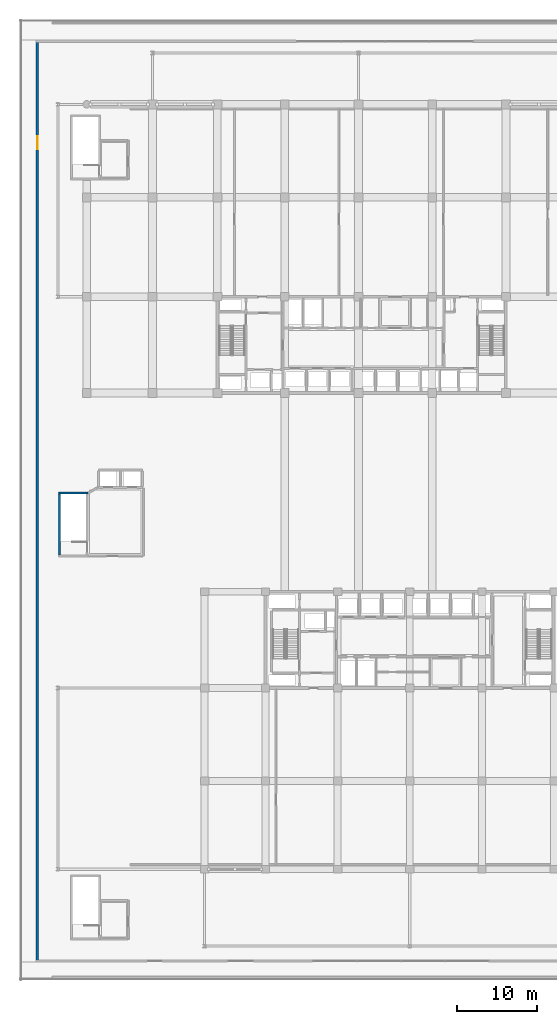
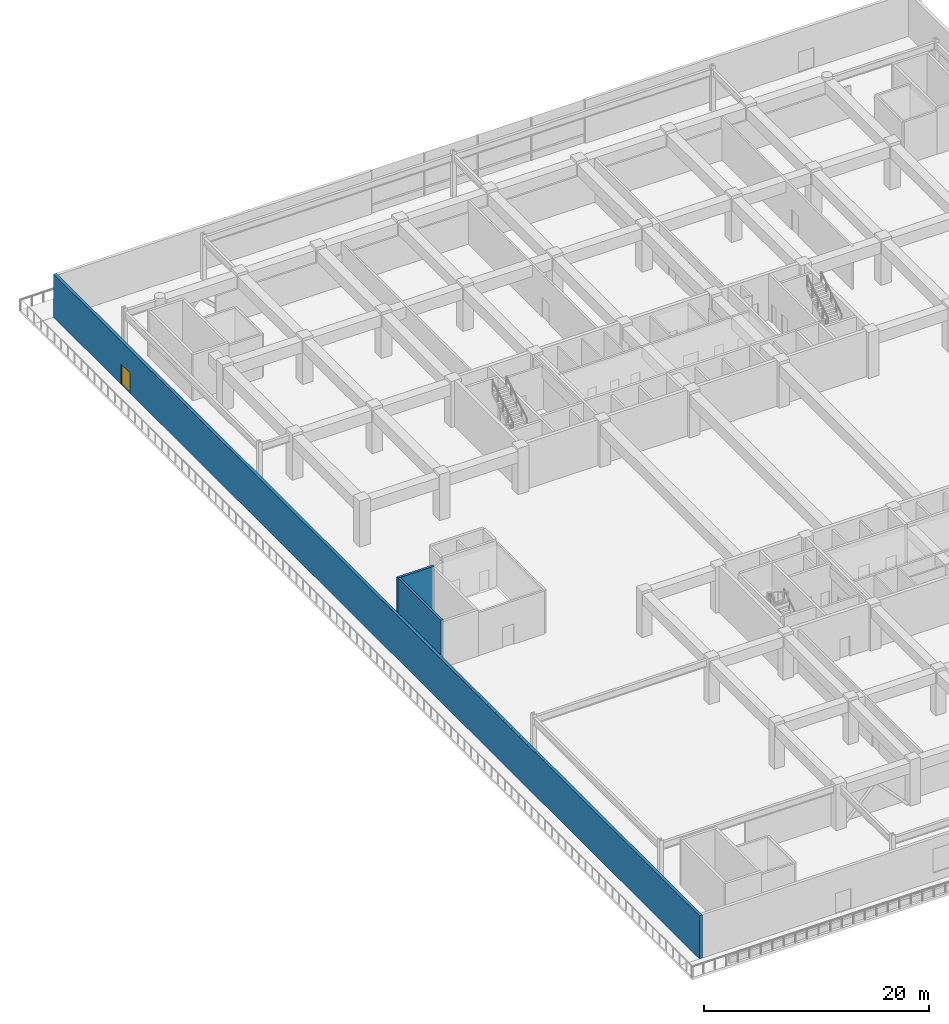
# One storey, part 23 of 38: 3 walls, 1 door, 1 opening.
"""IFC4 building model written with IfcOpenShell, lengths in metres."""

from ifc_helpers import new_model, si_unit, direction, frame, frame_2d, origin, place, context, subcontext, project, spatial, rectangle, extrude, material, layer, layer_set, type_object, element, fill, save


model = new_model("IFC4")

# Units and contexts
model_context = context("Model", 3, precision=1e-05, world=origin(), true_north=direction((0.0, 1.0)))
body_context = subcontext(model_context, "Body", "Model", "MODEL_VIEW")
ifc_project = project(units=[si_unit("LENGTHUNIT", "METRE"), si_unit("AREAUNIT", "SQUARE_METRE"), si_unit("VOLUMEUNIT", "CUBIC_METRE"), si_unit("PLANEANGLEUNIT", "RADIAN"), si_unit("MASSUNIT", "GRAM", prefix="KILO")], contexts=[model_context])

# Site, building, storey
site_placement = place(None, origin())
site = spatial("IfcSite", under=ifc_project, at=site_placement, CompositionType="ELEMENT")
building_placement = place(site_placement, origin())
building = spatial("IfcBuilding", under=site, at=building_placement, Name="Korimba Cascade Residences", CompositionType="ELEMENT")
storey_placement = place(building_placement, frame((0.0, 0.0, 19.0)))
storey = spatial("IfcBuildingStorey", under=building, at=storey_placement, Name="L04", CompositionType="ELEMENT", Elevation=19.0)

# Wall, opening, door
ifc_material_1 = material(Name="Precast concrete C40/50", Category="concrete")
ifc_layer_1 = layer(ifc_material_1, 0.300048828125)
ifc_layer_set_1 = layer_set([ifc_layer_1], Name="Precast concrete C40/50")
wall_type_1 = type_object("IfcWallType", Name="EW-STONE-300", PredefinedType="STANDARD", material=ifc_layer_set_1)
wall_1_placement = place(storey_placement, frame((53.64990234375, 99.199951171875, 0.0), z_axis=(0.0, 0.0, 1.0), x_axis=(0.0, -1.0, 0.0)))
wall_1 = element("IfcWall", 1, at=wall_1_placement, inside=storey, type_object=wall_type_1, Name="L04 West Podium Wall", PredefinedType="STANDARD", context=body_context, shape_type="SweptSolid", body=[
    extrude(rectangle(XDim=115.0, YDim=0.300048828125, at=frame_2d((57.5, 0.0))), origin(), (0.0, 0.0, 1.0), 4.679931640625),
])
opening_placement = place(wall_1_placement, frame((12.0, 0.0, 0.0)))
opening = element("IfcOpeningElement", 2, at=opening_placement, cuts=wall_1, Name="Opening D-TR1", PredefinedType="OPENING", context=body_context, shape_type="SweptSolid", body=[
    extrude(rectangle(XDim=1.60009765625, YDim=2.199951171875, at=frame_2d((0.800048828125, 1.10009765625))), frame((0.0, 0.16015625, 0.0), z_axis=(0.0, -1.0, 0.0), x_axis=(1.0, 0.0, 0.0)), (0.0, 0.0, 1.0), 0.320068359375),
])
ifc_material_2 = material(Name="Glazed Aluminium Terrace Door", Category="aluminium")
door_type = type_object("IfcDoorType", Name="DR-EXT-TER", OperationType="NOTDEFINED", PredefinedType="DOOR", material=ifc_material_2)
door_placement = place(opening_placement, frame((1.60009765625, 0.0, 0.0), z_axis=(0.0, 0.0, 1.0), x_axis=(-1.0, 0.0, 0.0)))
door = element("IfcDoor", 3, at=door_placement, inside=storey, type_object=door_type, Name="L04 West Terrace Access Door", OperationType="DOUBLE_DOOR_SINGLE_SWING", OverallHeight=2.199951171875, OverallWidth=1.60009765625, PredefinedType="DOOR", context=body_context, shape_type="SweptSolid", body=[
    extrude(rectangle(XDim=1.60009765625, YDim=2.199951171875, at=frame_2d((0.800048828125, 1.10009765625))), frame((0.0, 0.02490234375, 0.0), z_axis=(0.0, -1.0, 0.0), x_axis=(1.0, 0.0, 0.0)), (0.0, 0.0, 1.0), 0.050048828125),
])
fill(opening, door)

# Walls
ifc_material_3 = material(Name="Concrete C50/60", Category="concrete")
ifc_layer_2 = layer(ifc_material_3, 0.25)
ifc_layer_set_2 = layer_set([ifc_layer_2], Name="Concrete C50/60")
wall_type_2 = type_object("IfcWallType", Name="WAL-SHAFT-250", PredefinedType="SHEAR", material=ifc_layer_set_2)
wall_2_placement = place(storey_placement, frame((56.375, 35.0, 0.0), z_axis=(0.0, 0.0, 1.0), x_axis=(0.0, 1.0, 0.0)))
element("IfcWall", 4, at=wall_2_placement, inside=storey, type_object=wall_type_2, Name="L04 Core Shear Wall CW-L04-STP1W", PredefinedType="SHEAR", context=body_context, shape_type="SweptSolid", body=[
    extrude(rectangle(XDim=7.60009765625, YDim=0.25, at=frame_2d((3.800048828125, 0.0))), origin(), (0.0, 0.0, 1.0), 5.0),
])
wall_3_placement = place(storey_placement, frame((56.25, 42.72509765625, 0.0), z_axis=(0.0, 0.0, 1.0), x_axis=(1.0, 0.0, 0.0)))
element("IfcWall", 5, at=wall_3_placement, inside=storey, type_object=wall_type_2, Name="L04 Core Shear Wall CW-L04-STP1N", PredefinedType="SHEAR", context=body_context, shape_type="SweptSolid", body=[
    extrude(rectangle(XDim=3.739990234375, YDim=0.25, at=frame_2d((1.8701171875, 0.0))), origin(), (0.0, 0.0, 1.0), 5.0),
])

save(model, "model.ifc")
